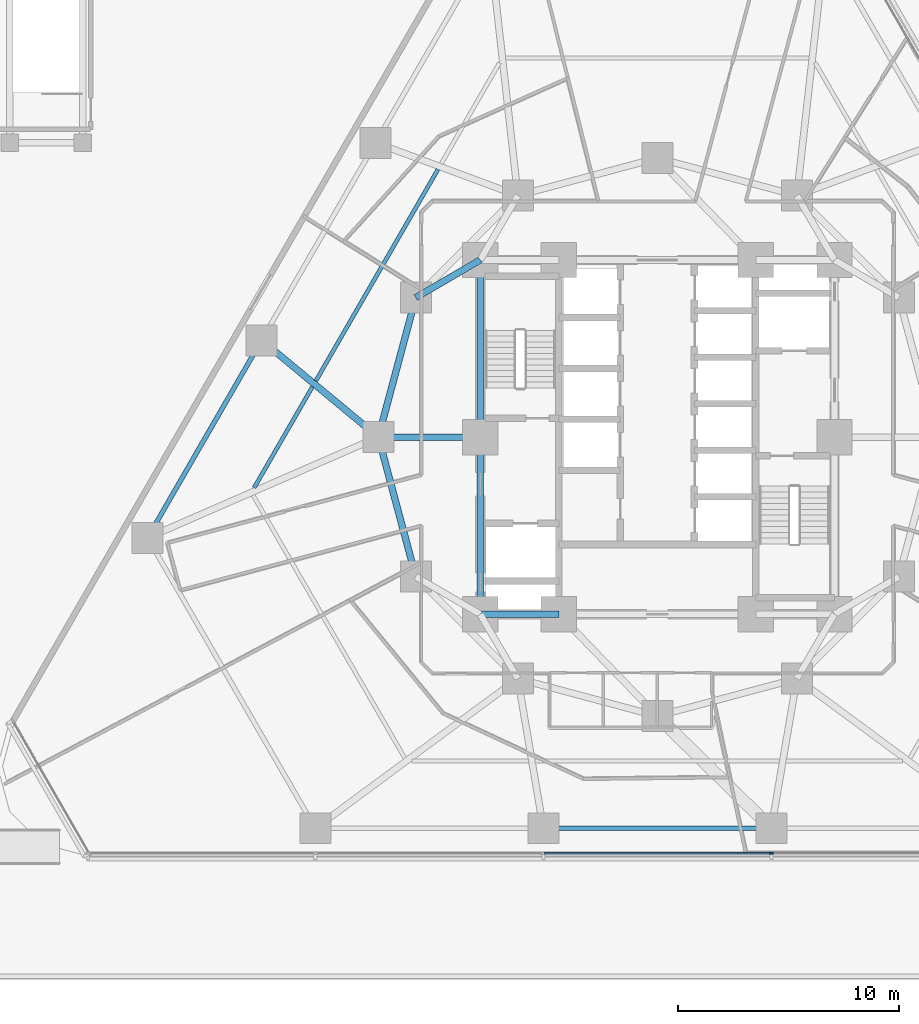
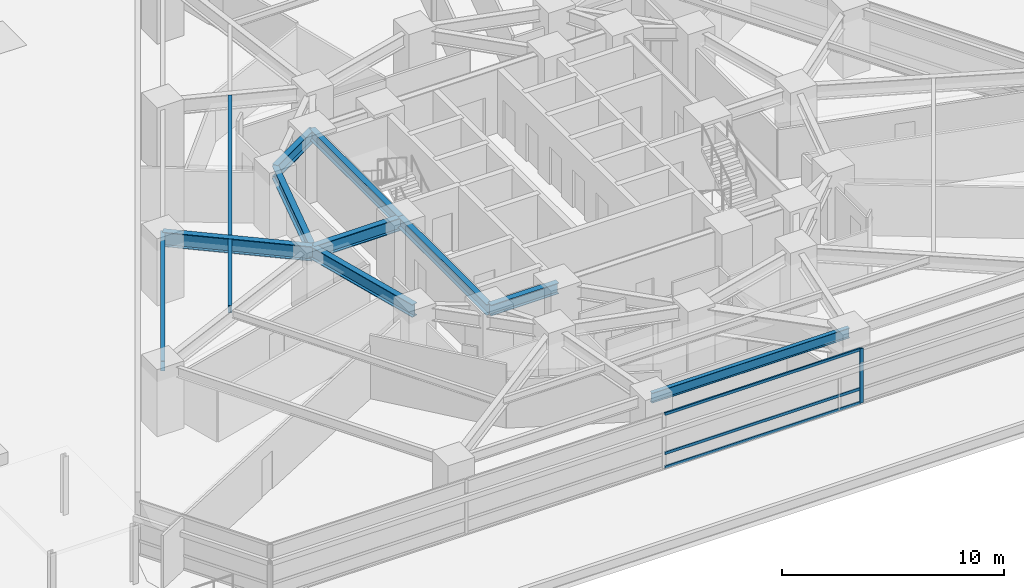
# One storey, part 8 of 23: 12 beams, 4 members, 1 element without a shape of its own.
"""IFC4 building model written with IfcOpenShell, lengths in metres."""

import ifcopenshell
import ifcopenshell.guid

model = None  # the IFC model being written
_history = None  # IfcOwnerHistory: only IFC2X3 demands one
_inside = {}  # id of a spatial element -> (the spatial element, [elements in it])
_under = {}  # id of a project, library or spatial element -> (it, [spatial elements below it])
_declared = {}  # id of a project -> (the project, [libraries it declares])
_typed = {}  # id of a type object -> (the type object, [elements of that type])
_made_of = {}  # id of a material, layer set ... -> (it, [elements and type objects made of it])


def new_model(schema):
    """Start an empty IFC model of exactly this schema.

    Asked for "IFC4X3", IfcOpenShell would pick the latest addendum, in which some entities
    have other attributes; the version numbers below select the first issue.
    IFC2X3 requires an IfcOwnerHistory on every rooted entity: one is made here for all.
    """
    global model, _history
    if schema == "IFC4X3":
        model = ifcopenshell.file(schema_version=(4, 3, 0, 0))
    else:
        model = ifcopenshell.file(schema=schema)
    _inside.clear()
    _under.clear()
    _declared.clear()
    _typed.clear()
    _made_of.clear()
    _history = None
    if model.schema == "IFC2X3":
        org = make("IfcOrganization", Name="unknown")
        user = make(
            "IfcPersonAndOrganization",
            ThePerson=make("IfcPerson", FamilyName="unknown"),
            TheOrganization=org,
        )
        app = make(
            "IfcApplication",
            ApplicationDeveloper=org,
            Version="unknown",
            ApplicationFullName="unknown",
            ApplicationIdentifier="unknown",
        )
        _history = make(
            "IfcOwnerHistory",
            OwningUser=user,
            OwningApplication=app,
            ChangeAction="ADDED",
            CreationDate=0,
        )
    return model


def make(cls, **values):
    """One entity of the class cls with the attributes given. An attribute that is None is left unset."""
    return model.create_entity(
        cls, **{name: value for name, value in values.items() if value is not None}
    )


def rooted(cls, **values):
    """An entity with a GlobalId (a new one), such as an element, a storey or a relation."""
    return make(cls, GlobalId=ifcopenshell.guid.new(), OwnerHistory=_history, **values)


def si_unit(unit_type, name, prefix=None):
    """IfcSIUnit, for example si_unit("LENGTHUNIT", "METRE", prefix="MILLI")."""
    return make("IfcSIUnit", UnitType=unit_type, Prefix=prefix, Name=name)


def assignment(units):
    """IfcUnitAssignment: the units of a project."""
    return None if units is None else make("IfcUnitAssignment", Units=units)


def point(xyz):
    """IfcCartesianPoint."""
    return None if xyz is None else make("IfcCartesianPoint", Coordinates=xyz)


def direction(xyz):
    """IfcDirection."""
    return None if xyz is None else make("IfcDirection", DirectionRatios=xyz)


def frame(location, z_axis=None, x_axis=None):
    """IfcAxis2Placement3D, a coordinate frame: its origin and axes. An axis left out is left unset."""
    return make(
        "IfcAxis2Placement3D",
        Location=point(location),
        Axis=direction(z_axis),
        RefDirection=direction(x_axis),
    )


def frame_2d(location, x_axis=None):
    """IfcAxis2Placement2D, a coordinate frame in the plane: its origin and x axis."""
    return make(
        "IfcAxis2Placement2D", Location=point(location), RefDirection=direction(x_axis)
    )


def origin():
    """The frame at (0, 0, 0) with its axes left unset."""
    return frame((0.0, 0.0, 0.0))


def origin_2d():
    """The frame at (0, 0) in the plane with its x axis left unset."""
    return frame_2d((0.0, 0.0))


def place(relative_to, where):
    """IfcLocalPlacement: puts the frame where relative to a parent placement (None: the world)."""
    return make(
        "IfcLocalPlacement", PlacementRelTo=relative_to, RelativePlacement=where
    )


def context(
    kind, dimensions, precision=None, world=None, true_north=None, identifier=None
):
    """IfcGeometricRepresentationContext, for example the 3D "Model" context."""
    return make(
        "IfcGeometricRepresentationContext",
        ContextIdentifier=identifier,
        ContextType=kind,
        CoordinateSpaceDimension=dimensions,
        Precision=precision,
        WorldCoordinateSystem=world,
        TrueNorth=true_north,
    )


def subcontext(parent, identifier, kind, view, scale=None):
    """IfcGeometricRepresentationSubContext, for example "Body" below "Model"."""
    return make(
        "IfcGeometricRepresentationSubContext",
        ContextIdentifier=identifier,
        ContextType=kind,
        ParentContext=parent,
        TargetScale=scale,
        TargetView=view,
    )


def project(units=None, contexts=None):
    """IfcProject with its units and contexts."""
    return rooted(
        "IfcProject",
        Name="project",
        RepresentationContexts=contexts,
        UnitsInContext=assignment(units),
    )


def spatial(cls, under=None, at=None, **own):
    """A site, building, storey or space (cls), placed at a placement, below another one or the project."""
    s = rooted(cls, ObjectPlacement=at, **own)
    if under is not None:
        _under.setdefault(under.id(), (under, []))[1].append(s)
    return s


def profile(cls, at=None, kind="AREA", **sizes):
    """A parametric profile (cls). Its sizes go by their IFC names, for example OverallWidth=200.0."""
    return make(cls, ProfileType=kind, Position=at, **sizes)


def rectangle(**sizes):
    """IfcRectangleProfileDef."""
    return profile("IfcRectangleProfileDef", **sizes)


def i_section(**sizes):
    """IfcIShapeProfileDef."""
    return profile("IfcIShapeProfileDef", **sizes)


def extrude(swept, where, along, depth):
    """IfcExtrudedAreaSolid: the profile swept, set in the frame where, extruded along a direction by depth."""
    return make(
        "IfcExtrudedAreaSolid",
        SweptArea=swept,
        Position=where,
        ExtrudedDirection=direction(along),
        Depth=depth,
    )


def shape(context_of_items, identifier, shape_type, items):
    """IfcShapeRepresentation: the items that make up one representation, for example the "Body"."""
    return make(
        "IfcShapeRepresentation",
        ContextOfItems=context_of_items,
        RepresentationIdentifier=identifier,
        RepresentationType=shape_type,
        Items=items,
    )


def material(Name=None, Category=None):
    """IfcMaterial."""
    return make("IfcMaterial", Name=Name, Category=Category)


def layer(
    of_material, thickness, ventilated=None, Name=None, Category=None, Priority=None
):
    """IfcMaterialLayer: one layer of a wall or slab, of a material (None: an air gap)."""
    return make(
        "IfcMaterialLayer",
        Material=of_material,
        LayerThickness=thickness,
        IsVentilated=ventilated,
        Name=Name,
        Category=Category,
        Priority=Priority,
    )


def layer_set(layers, Name=None):
    """IfcMaterialLayerSet."""
    return make("IfcMaterialLayerSet", MaterialLayers=layers, LayerSetName=Name)


def material_profile(
    of_material, cross_section, Name=None, Category=None, Priority=None
):
    """IfcMaterialProfile: a cross section and its material."""
    return make(
        "IfcMaterialProfile",
        Name=Name,
        Material=of_material,
        Profile=cross_section,
        Priority=Priority,
        Category=Category,
    )


def profile_set(profiles, Name=None, composite=None):
    """IfcMaterialProfileSet."""
    return make(
        "IfcMaterialProfileSet",
        Name=Name,
        MaterialProfiles=profiles,
        CompositeProfile=composite,
    )


def made_of(thing, what):
    """Note that an element or type object is made of a material, layer set ...; save() writes the relation."""
    if what is not None:
        _made_of.setdefault(what.id(), (what, []))[1].append(thing)
    return thing


def type_object(cls, material=None, **own):
    """A type object (cls), such as IfcWallType, which elements share."""
    return made_of(rooted(cls, **own), material)


def element(
    cls,
    number,
    at=None,
    inside=None,
    cuts=None,
    type_object=None,
    material=None,
    context=None,
    identifier="Body",
    shape_type=None,
    held_by="IfcProductDefinitionShape",
    body=None,
    shapes=None,
    **own,
):
    """One element of the class cls, such as IfcWall. Its Tag is "e" and its number.

    at: its placement. inside: the storey or other place that contains it. cuts: it is an
    opening in that element (IfcRelVoidsElement). A single representation is given by context,
    identifier, shape_type and body (its items); several are given by shapes. held_by: the class
    of the entity that holds the representations. save() writes the other relations.
    """
    e = rooted(cls, Tag="e%d" % number, ObjectPlacement=at, **own)
    if body is not None:
        shapes = [shape(context, identifier, shape_type, body)]
    if shapes is not None:
        e.Representation = make(held_by, Representations=shapes)
    if inside is not None:
        _inside.setdefault(inside.id(), (inside, []))[1].append(e)
    if cuts is not None:
        rooted(
            "IfcRelVoidsElement", RelatingBuildingElement=cuts, RelatedOpeningElement=e
        )
    if type_object is not None:
        _typed.setdefault(type_object.id(), (type_object, []))[1].append(e)
    return made_of(e, material)


def aggregate(whole, parts):
    """IfcRelAggregates: a whole, such as a stair, and the parts it consists of."""
    return rooted("IfcRelAggregates", RelatingObject=whole, RelatedObjects=parts)


def save(model, path):
    """Write the relations noted so far, then the file.

    IfcRelAggregates (storeys below a building ...), IfcRelContainedInSpatialStructure (elements
    in a storey), IfcRelDefinesByType, IfcRelAssociatesMaterial and IfcRelDeclares: one each for
    every whole, place, type object, material and project.
    """
    for whole, parts in _under.values():
        aggregate(whole, parts)
    for where, things in _inside.values():
        rooted(
            "IfcRelContainedInSpatialStructure",
            RelatedElements=things,
            RelatingStructure=where,
        )
    for kind, things in _typed.values():
        rooted("IfcRelDefinesByType", RelatedObjects=things, RelatingType=kind)
    for what, things in _made_of.values():
        rooted("IfcRelAssociatesMaterial", RelatedObjects=things, RelatingMaterial=what)
    for by, libraries in _declared.values():
        rooted("IfcRelDeclares", RelatingContext=by, RelatedDefinitions=libraries)
    model.write(path)


model = new_model("IFC4")

# Units and contexts
model_context = context("Model", 3, precision=1e-05, world=origin(), true_north=direction((0.0, 1.0)))
body_context = subcontext(model_context, "Body", "Model", "MODEL_VIEW")
ifc_project = project(units=[si_unit("LENGTHUNIT", "METRE"), si_unit("AREAUNIT", "SQUARE_METRE"), si_unit("VOLUMEUNIT", "CUBIC_METRE"), si_unit("PLANEANGLEUNIT", "RADIAN"), si_unit("MASSUNIT", "GRAM", prefix="KILO")], contexts=[model_context])

# Site, building, storey
site_placement = place(None, origin())
site = spatial("IfcSite", under=ifc_project, at=site_placement, CompositionType="ELEMENT")
building_placement = place(site_placement, origin())
building = spatial("IfcBuilding", under=site, at=building_placement, Name="Terralouvre Media Tower", CompositionType="ELEMENT")
storey_placement = place(building_placement, frame((0.0, 0.0, 26.0)))
storey = spatial("IfcBuildingStorey", under=building, at=storey_placement, Name="L05", CompositionType="ELEMENT", Elevation=26.0)

# Beams
ifc_material_1 = material(Name="Structural steel S355J2", Category="steel")
ifc_material_profile_1 = material_profile(ifc_material_1, i_section(OverallWidth=0.179931640625, OverallDepth=0.39990234375, WebThickness=0.008544921875, FlangeThickness=0.013427734375, at=origin_2d()), Name="IPE 400")
ifc_profile_set_1 = profile_set([ifc_material_profile_1], Name="Structural steel S355J2")
beam_type_1 = type_object("IfcBeamType", Name="Composite Floor Joist J-IPE400 (IPE 400)", PredefinedType="JOIST", material=ifc_profile_set_1)
beam_1_placement = place(storey_placement, frame((-9.90869140625, 12.091796875, 3.300048828125), z_axis=(-0.499996323086, -0.866027526641, 0.0), x_axis=(0.866027526641, -0.499996323086, 0.0)))
element("IfcBeam", 1, at=beam_1_placement, inside=storey, type_object=beam_type_1, Name="L05 Framing Beam JT-L05-11", PredefinedType="JOIST", context=body_context, shape_type="SweptSolid", body=[
    extrude(i_section(OverallWidth=0.179931640625, OverallDepth=0.39990234375, WebThickness=0.008544921875, FlangeThickness=0.013427734375, at=origin_2d()), origin(), (0.0, 0.0, 1.0), 11.03466796875),
])
beam_2_placement = place(storey_placement, frame((-15.576171875, 2.275390625, 3.300048828125), z_axis=(-0.500019514865, -0.866014136579, 0.0), x_axis=(0.866014136579, -0.500019514865, 0.0)))
element("IfcBeam", 2, at=beam_2_placement, inside=storey, type_object=beam_type_1, Name="L05 Framing Beam JT-L05-12", PredefinedType="JOIST", context=body_context, shape_type="SweptSolid", body=[
    extrude(i_section(OverallWidth=0.179931640625, OverallDepth=0.39990234375, WebThickness=0.008544921875, FlangeThickness=0.013427734375, at=origin_2d()), origin(), (0.0, 0.0, 1.0), 5.264404296875),
])

# Curtain wall, members
ifc_material_2 = material(Name="Low-iron laminated double glazing with solar-control coating", Category="glass")
ifc_layer = layer(ifc_material_2, 0.1650390625, Name="Lower Media Tower Unitised Curtain Wall CW-02")
ifc_layer_set = layer_set([ifc_layer], Name="Low-iron laminated double glazing with solar-control coating")
curtain_wall_type = type_object("IfcCurtainWallType", Name="Lower Media Tower Unitised Curtain Wall CW-02", PredefinedType="NOTDEFINED", material=ifc_layer_set)
curtain_wall_placement = place(storey_placement, origin())
curtain_wall = element("IfcCurtainWall", 3, at=curtain_wall_placement, inside=storey, type_object=curtain_wall_type, Name="L05 Facade Curtain Wall F0", PredefinedType="NOTDEFINED")
ifc_material_3 = material(Name="Anodised extruded aluminium 6063-T6", Category="aluminium")
ifc_material_profile_2 = material_profile(ifc_material_3, rectangle(XDim=0.074951171875, YDim=0.14990234375, at=origin_2d()), Name="ALU 75x150")
ifc_profile_set_2 = profile_set([ifc_material_profile_2], Name="Anodised extruded aluminium 6063-T6")
member_type_1 = type_object("IfcMemberType", Name="Curtain-Wall Horizontal Transom TR-150", PredefinedType="USERDEFINED", material=ifc_profile_set_2)
member_1_placement = place(storey_placement, frame((-5.112548828125, -18.796875, 0.03759765625), z_axis=(1.0, 0.0, 0.0), x_axis=(0.0, 1.0, 0.0)))
member_1 = element("IfcMember", 4, at=member_1_placement, type_object=member_type_1, Name="CW-02 transom 3.1", ObjectType="TRANSOM", PredefinedType="USERDEFINED", context=body_context, shape_type="SweptSolid", body=[
    extrude(rectangle(XDim=0.074951171875, YDim=0.14990234375, at=origin_2d()), origin(), (0.0, 0.0, 1.0), 10.22509765625),
])
member_2_placement = place(storey_placement, frame((-5.112548828125, -18.796875, 0.800048828125), z_axis=(1.0, 0.0, 0.0), x_axis=(0.0, 1.0, 0.0)))
member_2 = element("IfcMember", 5, at=member_2_placement, type_object=member_type_1, Name="CW-02 transom 3.2", ObjectType="TRANSOM", PredefinedType="USERDEFINED", context=body_context, shape_type="SweptSolid", body=[
    extrude(rectangle(XDim=0.074951171875, YDim=0.14990234375, at=origin_2d()), origin(), (0.0, 0.0, 1.0), 10.22509765625),
])
member_3_placement = place(storey_placement, frame((-5.112548828125, -18.796875, 2.96240234375), z_axis=(1.0, 0.0, 0.0), x_axis=(0.0, 1.0, 0.0)))
member_3 = element("IfcMember", 6, at=member_3_placement, type_object=member_type_1, Name="CW-02 transom 3.3", ObjectType="TRANSOM", PredefinedType="USERDEFINED", context=body_context, shape_type="SweptSolid", body=[
    extrude(rectangle(XDim=0.074951171875, YDim=0.14990234375, at=origin_2d()), origin(), (0.0, 0.0, 1.0), 10.22509765625),
])
ifc_material_4 = material(Name="Anodised extruded aluminium 6063-T6", Category="aluminium")
ifc_material_profile_3 = material_profile(ifc_material_4, rectangle(XDim=0.074951171875, YDim=0.179931640625, at=origin_2d()), Name="ALU 75x180")
ifc_profile_set_3 = profile_set([ifc_material_profile_3], Name="Anodised extruded aluminium 6063-T6")
member_type_2 = type_object("IfcMemberType", Name="Curtain-Wall Vertical Mullion ML-180", PredefinedType="MULLION", material=ifc_profile_set_3)
member_4_placement = place(storey_placement, frame((5.14990234375, -18.796875, 0.0), z_axis=(0.0, 0.0, 1.0), x_axis=(0.0, 1.0, 0.0)))
member_4 = element("IfcMember", 7, at=member_4_placement, type_object=member_type_2, Name="CW-02 mullion 4", PredefinedType="MULLION", context=body_context, shape_type="SweptSolid", body=[
    extrude(rectangle(XDim=0.074951171875, YDim=0.179931640625, at=origin_2d()), origin(), (0.0, 0.0, 1.0), 3.0),
])
aggregate(curtain_wall, [member_4, member_1, member_2, member_3])

# Beams
ifc_material_5 = material(Name="Structural steel S355J2", Category="steel")
ifc_material_profile_4 = material_profile(ifc_material_5, i_section(OverallWidth=0.2099609375, OverallDepth=0.550048828125, WebThickness=0.010986328125, FlangeThickness=0.01708984375, at=origin_2d()), Name="IPE 550")
ifc_profile_set_4 = profile_set([ifc_material_profile_4], Name="Structural steel S355J2")
beam_type_2 = type_object("IfcBeamType", Name="Perimeter Spandrel Beam SPB-550 (IPE 550)", PredefinedType="SPANDREL", material=ifc_profile_set_4)
beam_3_placement = place(storey_placement, frame((-5.14990234375, -17.666748046875, 3.215087890625), z_axis=(1.0, 0.0, 0.0), x_axis=(0.0, 1.0, 0.0)))
element("IfcBeam", 8, at=beam_3_placement, inside=storey, type_object=beam_type_2, Name="L05 Framing Beam BM-L05-PR03", PredefinedType="SPANDREL", context=body_context, shape_type="SweptSolid", body=[
    extrude(i_section(OverallWidth=0.2099609375, OverallDepth=0.550048828125, WebThickness=0.010986328125, FlangeThickness=0.01708984375, at=origin_2d()), origin(), (0.0, 0.0, 1.0), 10.2998046875),
])
beam_4_placement = place(storey_placement, frame((-17.874755859375, 4.373291015625, 3.22509765625), z_axis=(-0.500016542852, -0.866015852554, 0.0), x_axis=(0.866015852554, -0.500016542852, 0.0)))
element("IfcBeam", 9, at=beam_4_placement, inside=storey, type_object=beam_type_2, Name="L05 Framing Beam BM-L05-PR12", PredefinedType="SPANDREL", context=body_context, shape_type="SweptSolid", body=[
    extrude(i_section(OverallWidth=0.2099609375, OverallDepth=0.550048828125, WebThickness=0.010986328125, FlangeThickness=0.01708984375, at=origin_2d()), origin(), (0.0, 0.0, 1.0), 10.300048828125),
])
ifc_material_6 = material(Name="Structural steel S460M", Category="steel")
ifc_material_profile_5 = material_profile(ifc_material_6, i_section(OverallWidth=0.300048828125, OverallDepth=0.60009765625, WebThickness=0.015380859375, FlangeThickness=0.030029296875, at=origin_2d()), Name="HEB 600")
ifc_profile_set_5 = profile_set([ifc_material_profile_5], Name="Structural steel S460M")
beam_type_3 = type_object("IfcBeamType", Name="Primary Floor Girder B-HEB600 (HEB 600)", PredefinedType="BEAM", material=ifc_profile_set_5)
beam_5_placement = place(storey_placement, frame((-8.0, -8.0, 3.199951171875), z_axis=(1.0, 0.0, 0.0), x_axis=(0.0, 1.0, 0.0)))
element("IfcBeam", 10, at=beam_5_placement, inside=storey, type_object=beam_type_3, Name="L05 Framing Beam BM-L05-CPR01", PredefinedType="BEAM", context=body_context, shape_type="SweptSolid", body=[
    extrude(i_section(OverallWidth=0.300048828125, OverallDepth=0.60009765625, WebThickness=0.015380859375, FlangeThickness=0.030029296875, at=origin_2d()), origin(), (0.0, 0.0, 1.0), 3.550048828125),
])
for number, where, z_axis, x_axis, name in (
    (11, (-8.0, 8.0, 3.199951171875), (0.0, -1.0, 0.0), (1.0, 0.0, 0.0), "L05 Framing Beam BM-L05-CPR09"),
    (12, (-8.0, 0.0, 3.199951171875), (0.0, -1.0, 0.0), (1.0, 0.0, 0.0), "L05 Framing Beam BM-L05-CPR10"),
):
    element("IfcBeam", number, at=place(storey_placement, frame(where, z_axis=z_axis, x_axis=x_axis)), inside=storey, type_object=beam_type_3, Name=name, PredefinedType="BEAM", context=body_context, shape_type="SweptSolid", body=[
        extrude(i_section(OverallWidth=0.300048828125, OverallDepth=0.60009765625, WebThickness=0.015380859375, FlangeThickness=0.030029296875, at=origin_2d()), origin(), (0.0, 0.0, 1.0), 8.0),
    ])
ifc_material_7 = material(Name="Structural steel S460M", Category="steel")
ifc_material_profile_6 = material_profile(ifc_material_7, i_section(OverallWidth=0.300048828125, OverallDepth=0.699951171875, WebThickness=0.01708984375, FlangeThickness=0.031982421875, at=origin_2d()), Name="HEB 700")
ifc_profile_set_6 = profile_set([ifc_material_profile_6], Name="Structural steel S460M")
beam_type_4 = type_object("IfcBeamType", Name="Primary Floor Girder B-HEB700 (HEB 700)", PredefinedType="BEAM", material=ifc_profile_set_6)
for number, where, z_axis, x_axis, name in (
    (13, (-10.911865234375, 6.300048828125, 3.14990234375), (-0.258838989821, -0.965920481897, 0.0), (0.965920481897, -0.258838989821, 0.0), "L05 Framing Beam BM-L05-MR11"),
    (14, (-12.60009765625, 0.0, 3.14990234375), (0.258838989821, -0.965920481897, 0.0), (0.965920481897, 0.258838989821, 0.0), "L05 Framing Beam BM-L05-MR12"),
):
    element("IfcBeam", number, at=place(storey_placement, frame(where, z_axis=z_axis, x_axis=x_axis)), inside=storey, type_object=beam_type_4, Name=name, PredefinedType="BEAM", context=body_context, shape_type="SweptSolid", body=[
        extrude(i_section(OverallWidth=0.300048828125, OverallDepth=0.699951171875, WebThickness=0.01708984375, FlangeThickness=0.031982421875, at=origin_2d()), origin(), (0.0, 0.0, 1.0), 6.522216796875),
    ])
beam_6_placement = place(storey_placement, frame((-8.0, 8.0, 3.14990234375), z_axis=(-0.863602894532, -0.504172629717, 0.0), x_axis=(0.504172629717, -0.863602894532, 0.0)))
element("IfcBeam", 15, at=beam_6_placement, inside=storey, type_object=beam_type_4, Name="L05 Framing Beam BM-L05-CM11", PredefinedType="BEAM", context=body_context, shape_type="SweptSolid", body=[
    extrude(i_section(OverallWidth=0.300048828125, OverallDepth=0.699951171875, WebThickness=0.01708984375, FlangeThickness=0.031982421875, at=origin_2d()), origin(), (0.0, 0.0, 1.0), 3.371826171875),
])
beam_7_placement = place(storey_placement, frame((-8.0, 0.0, 3.14990234375), z_axis=(-1.0, 0.0, 0.0), x_axis=(0.0, -1.0, 0.0)))
element("IfcBeam", 16, at=beam_7_placement, inside=storey, type_object=beam_type_4, Name="L05 Framing Beam BM-L05-CM12", PredefinedType="BEAM", context=body_context, shape_type="SweptSolid", body=[
    extrude(i_section(OverallWidth=0.300048828125, OverallDepth=0.699951171875, WebThickness=0.01708984375, FlangeThickness=0.031982421875, at=origin_2d()), origin(), (0.0, 0.0, 1.0), 4.60009765625),
])
ifc_material_8 = material(Name="Structural steel S460M", Category="steel")
ifc_material_profile_7 = material_profile(ifc_material_8, i_section(OverallWidth=0.300048828125, OverallDepth=0.800048828125, WebThickness=0.017578125, FlangeThickness=0.032958984375, at=origin_2d()), Name="HEB 800")
ifc_profile_set_7 = profile_set([ifc_material_profile_7], Name="Structural steel S460M")
beam_type_5 = type_object("IfcBeamType", Name="Primary Floor Girder B-HEB800 (HEB 800)", PredefinedType="BEAM", material=ifc_profile_set_7)
beam_8_placement = place(storey_placement, frame((-12.60009765625, 0.0, 3.10009765625), z_axis=(-0.769816459478, 0.638265320001, 0.0), x_axis=(-0.638265320001, -0.769816459478, 0.0)))
element("IfcBeam", 17, at=beam_8_placement, inside=storey, type_object=beam_type_5, Name="L05 Framing Beam BM-L05-RD12", PredefinedType="BEAM", context=body_context, shape_type="SweptSolid", body=[
    extrude(i_section(OverallWidth=0.300048828125, OverallDepth=0.800048828125, WebThickness=0.017578125, FlangeThickness=0.032958984375, at=origin_2d()), origin(), (0.0, 0.0, 1.0), 6.851806640625),
])

save(model, "model.ifc")
